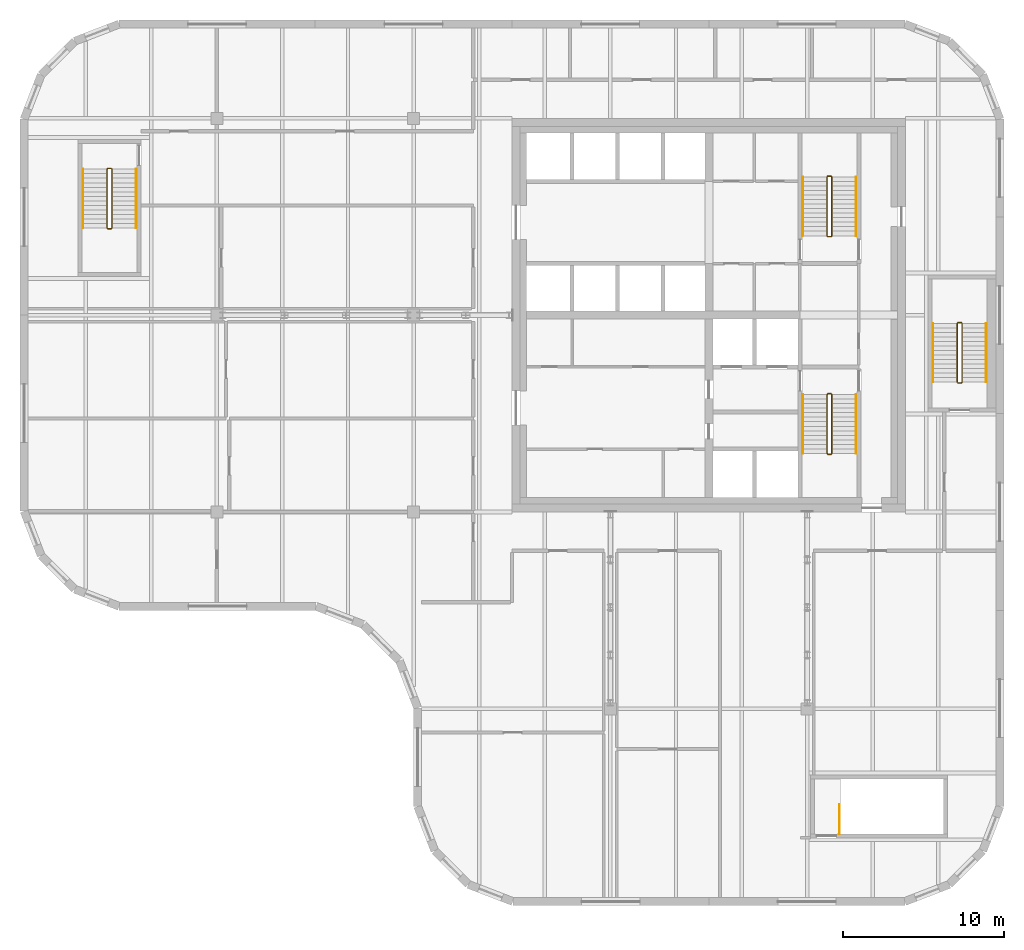
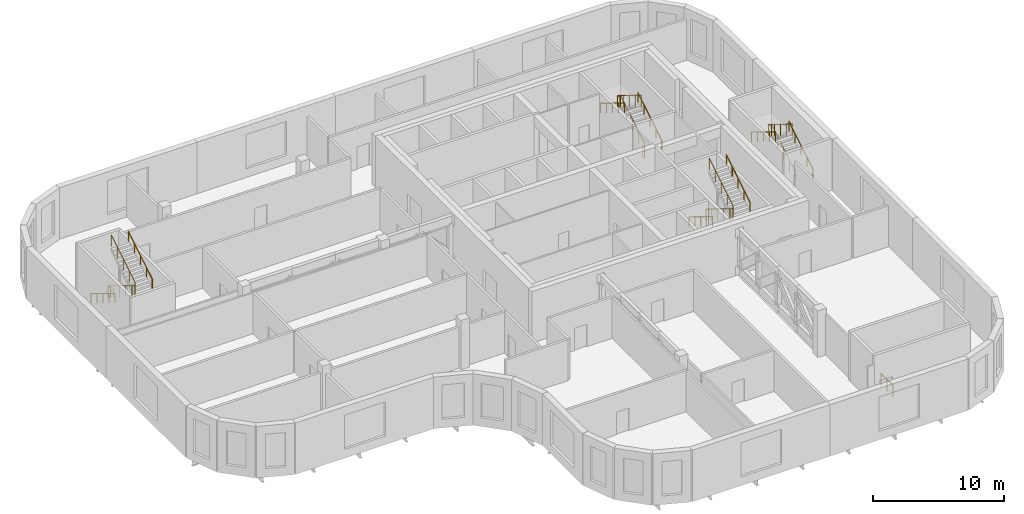
# One storey, part 12 of 12: 13 railings.
"""IFC4 building model written with IfcOpenShell, lengths in metres."""

from ifc_helpers import new_model, si_unit, direction, frame, origin, origin_2d, place, context, subcontext, project, spatial, circle, extrude, material, type_object, element, save


model = new_model("IFC4")

# Units and contexts
model_context = context("Model", 3, precision=1e-05, world=origin(), true_north=direction((0.0, 1.0)))
body_context = subcontext(model_context, "Body", "Model", "MODEL_VIEW")
ifc_project = project(units=[si_unit("LENGTHUNIT", "METRE"), si_unit("AREAUNIT", "SQUARE_METRE"), si_unit("VOLUMEUNIT", "CUBIC_METRE"), si_unit("PLANEANGLEUNIT", "RADIAN"), si_unit("MASSUNIT", "GRAM", prefix="KILO")], contexts=[model_context])

# Site, building, storey
site_placement = place(None, origin())
site = spatial("IfcSite", under=ifc_project, at=site_placement, CompositionType="ELEMENT")
building_placement = place(site_placement, origin())
building = spatial("IfcBuilding", under=site, at=building_placement, Name="Tessera Gate Towers", CompositionType="ELEMENT")
storey_placement = place(building_placement, frame((0.0, 0.0, 232.10009765625)))
storey = spatial("IfcBuildingStorey", under=building, at=storey_placement, Name="L58", CompositionType="ELEMENT", Elevation=232.10009765625)

# Railings
ifc_material_1 = material(Name="Steel 350W", Category="steel")
railing_type_1 = type_object("IfcRailingType", Name="STAIR GUARD 1100", PredefinedType="GUARDRAIL", material=ifc_material_1)
railing_1_placement = place(storey_placement, frame((50.27490234375, 31.72509765625, 0.0)))
element("IfcRailing", 1, at=railing_1_placement, inside=storey, type_object=railing_type_1, Name="L58 ST1 stair guard 1", PredefinedType="GUARDRAIL", context=body_context, shape_type="SweptSolid", body=[
    extrude(circle(Radius=0.02392578125, at=origin_2d()), frame((0.0, 0.0, 1.076171875), z_axis=(-1.0, 0.0, 0.0), x_axis=(0.0, -1.0, 0.0)), (0.0, 0.0, 1.0), 0.199951171875),
    extrude(circle(Radius=0.02392578125, at=origin_2d()), frame((-0.199951171875, 0.0, 1.076171875), z_axis=(-0.269911200495, -0.269911200495, 0.924281281696), x_axis=(0.707106781187, -0.707106781187, 0.0)), (0.0, 0.0, 1.0), 0.185546875),
    extrude(circle(Radius=0.02392578125, at=origin_2d()), frame((-0.25, -0.050048828125, 1.24755859375), z_axis=(0.0, -0.852865859571, 0.52213008492), x_axis=(1.0, 0.0, 0.0)), (0.0, 0.0, 1.0), 4.26806640625),
    extrude(circle(Radius=0.02392578125, at=origin_2d()), frame((-0.25, -3.690185546875, 3.47607421875), z_axis=(0.708833529934, -0.705375805398, 0.0), x_axis=(0.705375805398, 0.708833529934, 0.0)), (0.0, 0.0, 1.0), 0.070556640625),
    extrude(circle(Radius=0.02392578125, at=origin_2d()), frame((-0.199951171875, -3.739990234375, 3.47607421875), z_axis=(1.0, 0.0, 0.0), x_axis=(0.0, 1.0, 0.0)), (0.0, 0.0, 1.0), 0.199951171875),
    extrude(circle(Radius=0.02392578125, at=origin_2d()), frame((0.0, -3.739990234375, 3.47607421875), z_axis=(0.270006937388, 0.268689830376, 0.924609122178), x_axis=(-0.705375805398, 0.708833529934, 0.0)), (0.0, 0.0, 1.0), 0.185302734375),
    extrude(circle(Radius=0.02392578125, at=origin_2d()), frame((0.050048828125, -3.690185546875, 3.6474609375), z_axis=(0.0, 0.852865859571, 0.52213008492), x_axis=(-1.0, 0.0, 0.0)), (0.0, 0.0, 1.0), 4.26806640625),
    extrude(circle(Radius=0.02099609375, at=origin_2d()), origin(), (0.0, 0.0, 1.0), 1.052001953125),
    extrude(circle(Radius=0.02099609375, at=origin_2d()), frame((-0.199951171875, 0.0, 0.0)), (0.0, 0.0, 1.0), 1.052001953125),
    extrude(circle(Radius=0.02099609375, at=origin_2d()), frame((-0.25, -0.050048828125, 0.17138671875)), (0.0, 0.0, 1.0), 1.052001953125),
    extrude(circle(Radius=0.02099609375, at=origin_2d()), frame((-0.25, -0.9599609375, 0.728515625)), (0.0, 0.0, 1.0), 1.052001953125),
    extrude(circle(Radius=0.02099609375, at=origin_2d()), frame((-0.25, -1.8701171875, 1.28564453125)), (0.0, 0.0, 1.0), 1.052001953125),
    extrude(circle(Radius=0.02099609375, at=origin_2d()), frame((-0.25, -2.7802734375, 1.8427734375)), (0.0, 0.0, 1.0), 1.052001953125),
    extrude(circle(Radius=0.02099609375, at=origin_2d()), frame((-0.25, -3.690185546875, 2.39990234375)), (0.0, 0.0, 1.0), 1.052001953125),
    extrude(circle(Radius=0.02099609375, at=origin_2d()), frame((-0.199951171875, -3.739990234375, 2.39990234375)), (0.0, 0.0, 1.0), 1.052001953125),
    extrude(circle(Radius=0.02099609375, at=origin_2d()), frame((0.0, -3.739990234375, 2.39990234375)), (0.0, 0.0, 1.0), 1.052001953125),
    extrude(circle(Radius=0.02099609375, at=origin_2d()), frame((0.050048828125, -3.690185546875, 2.5712890625)), (0.0, 0.0, 1.0), 1.052001953125),
    extrude(circle(Radius=0.02099609375, at=origin_2d()), frame((0.050048828125, -2.7802734375, 3.12841796875)), (0.0, 0.0, 1.0), 1.052001953125),
    extrude(circle(Radius=0.02099609375, at=origin_2d()), frame((0.050048828125, -1.8701171875, 3.685546875)), (0.0, 0.0, 1.0), 1.052001953125),
    extrude(circle(Radius=0.02099609375, at=origin_2d()), frame((0.050048828125, -0.9599609375, 4.24267578125)), (0.0, 0.0, 1.0), 1.052001953125),
    extrude(circle(Radius=0.02099609375, at=origin_2d()), frame((0.050048828125, -0.050048828125, 4.7998046875)), (0.0, 0.0, 1.0), 1.052001953125),
])
railing_2_placement = place(storey_placement, frame((50.074951171875, 41.47509765625, 0.0)))
element("IfcRailing", 2, at=railing_2_placement, inside=storey, type_object=railing_type_1, Name="L58 ST2 stair guard 1", PredefinedType="GUARDRAIL", context=body_context, shape_type="SweptSolid", body=[
    extrude(circle(Radius=0.02392578125, at=origin_2d()), frame((0.0, 0.0, 1.076171875), z_axis=(1.0, 0.0, 0.0), x_axis=(0.0, 1.0, 0.0)), (0.0, 0.0, 1.0), 0.199951171875),
    extrude(circle(Radius=0.02392578125, at=origin_2d()), frame((0.199951171875, 0.0, 1.076171875), z_axis=(0.270006937388, 0.268689830376, 0.924609122178), x_axis=(-0.705375805398, 0.708833529934, 0.0)), (0.0, 0.0, 1.0), 0.185302734375),
    extrude(circle(Radius=0.02392578125, at=origin_2d()), frame((0.25, 0.0498046875, 1.24755859375), z_axis=(0.0, 0.852865859571, 0.52213008492), x_axis=(-1.0, 0.0, 0.0)), (0.0, 0.0, 1.0), 4.26806640625),
    extrude(circle(Radius=0.02392578125, at=origin_2d()), frame((0.25, 3.68994140625, 3.47607421875), z_axis=(-0.707106781187, 0.707106781187, 0.0), x_axis=(-0.707106781187, -0.707106781187, 0.0)), (0.0, 0.0, 1.0), 0.07080078125),
    extrude(circle(Radius=0.02392578125, at=origin_2d()), frame((0.199951171875, 3.739990234375, 3.47607421875), z_axis=(-1.0, 0.0, 0.0), x_axis=(0.0, -1.0, 0.0)), (0.0, 0.0, 1.0), 0.199951171875),
    extrude(circle(Radius=0.02392578125, at=origin_2d()), frame((0.0, 3.739990234375, 3.47607421875), z_axis=(-0.269911200495, -0.269911200495, 0.924281281696), x_axis=(0.707106781187, -0.707106781187, 0.0)), (0.0, 0.0, 1.0), 0.185546875),
    extrude(circle(Radius=0.02392578125, at=origin_2d()), frame((-0.050048828125, 3.68994140625, 3.6474609375), z_axis=(0.0, -0.852865859571, 0.52213008492), x_axis=(1.0, 0.0, 0.0)), (0.0, 0.0, 1.0), 4.26806640625),
    extrude(circle(Radius=0.02099609375, at=origin_2d()), origin(), (0.0, 0.0, 1.0), 1.052001953125),
    extrude(circle(Radius=0.02099609375, at=origin_2d()), frame((0.199951171875, 0.0, 0.0)), (0.0, 0.0, 1.0), 1.052001953125),
    extrude(circle(Radius=0.02099609375, at=origin_2d()), frame((0.25, 0.0498046875, 0.17138671875)), (0.0, 0.0, 1.0), 1.052001953125),
    extrude(circle(Radius=0.02099609375, at=origin_2d()), frame((0.25, 0.9599609375, 0.728515625)), (0.0, 0.0, 1.0), 1.052001953125),
    extrude(circle(Radius=0.02099609375, at=origin_2d()), frame((0.25, 1.869873046875, 1.28564453125)), (0.0, 0.0, 1.0), 1.052001953125),
    extrude(circle(Radius=0.02099609375, at=origin_2d()), frame((0.25, 2.77978515625, 1.8427734375)), (0.0, 0.0, 1.0), 1.052001953125),
    extrude(circle(Radius=0.02099609375, at=origin_2d()), frame((0.25, 3.68994140625, 2.39990234375)), (0.0, 0.0, 1.0), 1.052001953125),
    extrude(circle(Radius=0.02099609375, at=origin_2d()), frame((0.199951171875, 3.739990234375, 2.39990234375)), (0.0, 0.0, 1.0), 1.052001953125),
    extrude(circle(Radius=0.02099609375, at=origin_2d()), frame((0.0, 3.739990234375, 2.39990234375)), (0.0, 0.0, 1.0), 1.052001953125),
    extrude(circle(Radius=0.02099609375, at=origin_2d()), frame((-0.050048828125, 3.68994140625, 2.5712890625)), (0.0, 0.0, 1.0), 1.052001953125),
    extrude(circle(Radius=0.02099609375, at=origin_2d()), frame((-0.050048828125, 2.77978515625, 3.12841796875)), (0.0, 0.0, 1.0), 1.052001953125),
    extrude(circle(Radius=0.02099609375, at=origin_2d()), frame((-0.050048828125, 1.869873046875, 3.685546875)), (0.0, 0.0, 1.0), 1.052001953125),
    extrude(circle(Radius=0.02099609375, at=origin_2d()), frame((-0.050048828125, 0.9599609375, 4.24267578125)), (0.0, 0.0, 1.0), 1.052001953125),
    extrude(circle(Radius=0.02099609375, at=origin_2d()), frame((-0.050048828125, 0.0498046875, 4.7998046875)), (0.0, 0.0, 1.0), 1.052001953125),
])
railing_3_placement = place(storey_placement, frame((5.64990234375, 45.699951171875, 0.0)))
element("IfcRailing", 3, at=railing_3_placement, inside=storey, type_object=railing_type_1, Name="L58 ST3 stair guard 1", PredefinedType="GUARDRAIL", context=body_context, shape_type="SweptSolid", body=[
    extrude(circle(Radius=0.02392578125, at=origin_2d()), frame((0.0, 0.0, 1.076171875), z_axis=(-1.0, 0.0, 0.0), x_axis=(0.0, -1.0, 0.0)), (0.0, 0.0, 1.0), 0.199951171875),
    extrude(circle(Radius=0.02392578125, at=origin_2d()), frame((-0.199951171875, 0.0, 1.076171875), z_axis=(-0.269911200495, -0.269911200495, 0.924281281696), x_axis=(0.707106781187, -0.707106781187, 0.0)), (0.0, 0.0, 1.0), 0.185546875),
    extrude(circle(Radius=0.02392578125, at=origin_2d()), frame((-0.25, -0.050048828125, 1.24755859375), z_axis=(0.0, -0.852850264322, 0.5221555579), x_axis=(1.0, 0.0, 0.0)), (0.0, 0.0, 1.0), 4.267822265625),
    extrude(circle(Radius=0.02392578125, at=origin_2d()), frame((-0.25, -3.68994140625, 3.47607421875), z_axis=(0.707106781187, -0.707106781187, 0.0), x_axis=(0.707106781187, 0.707106781187, 0.0)), (0.0, 0.0, 1.0), 0.07080078125),
    extrude(circle(Radius=0.02392578125, at=origin_2d()), frame((-0.199951171875, -3.739990234375, 3.47607421875), z_axis=(1.0, 0.0, 0.0), x_axis=(0.0, 1.0, 0.0)), (0.0, 0.0, 1.0), 0.199951171875),
    extrude(circle(Radius=0.02392578125, at=origin_2d()), frame((0.0, -3.739990234375, 3.47607421875), z_axis=(0.269911200495, 0.269911200495, 0.924281281696), x_axis=(-0.707106781187, 0.707106781187, 0.0)), (0.0, 0.0, 1.0), 0.185546875),
    extrude(circle(Radius=0.02392578125, at=origin_2d()), frame((0.050048828125, -3.68994140625, 3.6474609375), z_axis=(0.0, 0.852850264322, 0.5221555579), x_axis=(-1.0, 0.0, 0.0)), (0.0, 0.0, 1.0), 4.267822265625),
    extrude(circle(Radius=0.02099609375, at=origin_2d()), origin(), (0.0, 0.0, 1.0), 1.052001953125),
    extrude(circle(Radius=0.02099609375, at=origin_2d()), frame((-0.199951171875, 0.0, 0.0)), (0.0, 0.0, 1.0), 1.052001953125),
    extrude(circle(Radius=0.02099609375, at=origin_2d()), frame((-0.25, -0.050048828125, 0.17138671875)), (0.0, 0.0, 1.0), 1.052001953125),
    extrude(circle(Radius=0.02099609375, at=origin_2d()), frame((-0.25, -0.9599609375, 0.728515625)), (0.0, 0.0, 1.0), 1.052001953125),
    extrude(circle(Radius=0.02099609375, at=origin_2d()), frame((-0.25, -1.8701171875, 1.28564453125)), (0.0, 0.0, 1.0), 1.052001953125),
    extrude(circle(Radius=0.02099609375, at=origin_2d()), frame((-0.25, -2.780029296875, 1.8427734375)), (0.0, 0.0, 1.0), 1.052001953125),
    extrude(circle(Radius=0.02099609375, at=origin_2d()), frame((-0.25, -3.68994140625, 2.39990234375)), (0.0, 0.0, 1.0), 1.052001953125),
    extrude(circle(Radius=0.02099609375, at=origin_2d()), frame((-0.199951171875, -3.739990234375, 2.39990234375)), (0.0, 0.0, 1.0), 1.052001953125),
    extrude(circle(Radius=0.02099609375, at=origin_2d()), frame((0.0, -3.739990234375, 2.39990234375)), (0.0, 0.0, 1.0), 1.052001953125),
    extrude(circle(Radius=0.02099609375, at=origin_2d()), frame((0.050048828125, -3.68994140625, 2.5712890625)), (0.0, 0.0, 1.0), 1.052001953125),
    extrude(circle(Radius=0.02099609375, at=origin_2d()), frame((0.050048828125, -2.780029296875, 3.12841796875)), (0.0, 0.0, 1.0), 1.052001953125),
    extrude(circle(Radius=0.02099609375, at=origin_2d()), frame((0.050048828125, -1.8701171875, 3.685546875)), (0.0, 0.0, 1.0), 1.052001953125),
    extrude(circle(Radius=0.02099609375, at=origin_2d()), frame((0.050048828125, -0.9599609375, 4.24267578125)), (0.0, 0.0, 1.0), 1.052001953125),
    extrude(circle(Radius=0.02099609375, at=origin_2d()), frame((0.050048828125, -0.050048828125, 4.7998046875)), (0.0, 0.0, 1.0), 1.052001953125),
])
railing_4_placement = place(storey_placement, frame((50.800048828125, 4.449951171875, 0.0)))
element("IfcRailing", 4, at=railing_4_placement, inside=storey, type_object=railing_type_1, Name="L58 ST4 top well guard 1", PredefinedType="GUARDRAIL", context=body_context, shape_type="SweptSolid", body=[
    extrude(circle(Radius=0.02392578125, at=origin_2d()), frame((0.0, 0.0, 1.076171875), z_axis=(0.0, 1.0, 0.0), x_axis=(-1.0, 0.0, 0.0)), (0.0, 0.0, 1.0), 1.800048828125),
    extrude(circle(Radius=0.02099609375, at=origin_2d()), origin(), (0.0, 0.0, 1.0), 1.052001953125),
    extrude(circle(Radius=0.02099609375, at=origin_2d()), frame((0.0, 0.89990234375, 0.0)), (0.0, 0.0, 1.0), 1.052001953125),
    extrude(circle(Radius=0.02099609375, at=origin_2d()), frame((0.0, 1.800048828125, 0.0)), (0.0, 0.0, 1.0), 1.052001953125),
])
railing_5_placement = place(storey_placement, frame((58.14990234375, 32.39990234375, 0.0)))
element("IfcRailing", 5, at=railing_5_placement, inside=storey, type_object=railing_type_1, Name="L58 ST5 stair guard 1", PredefinedType="GUARDRAIL", context=body_context, shape_type="SweptSolid", body=[
    extrude(circle(Radius=0.02392578125, at=origin_2d()), frame((0.0, 0.0, 1.076171875), z_axis=(1.0, 0.0, 0.0), x_axis=(0.0, 1.0, 0.0)), (0.0, 0.0, 1.0), 0.2001953125),
    extrude(circle(Radius=0.02392578125, at=origin_2d()), frame((0.2001953125, 0.0, 1.076171875), z_axis=(0.268689830376, 0.270006937388, 0.924609122178), x_axis=(-0.708833529934, 0.705375805398, 0.0)), (0.0, 0.0, 1.0), 0.185302734375),
    extrude(circle(Radius=0.02392578125, at=origin_2d()), frame((0.25, 0.050048828125, 1.24755859375), z_axis=(0.0, 0.852865859571, 0.52213008492), x_axis=(-1.0, 0.0, 0.0)), (0.0, 0.0, 1.0), 4.26806640625),
    extrude(circle(Radius=0.02392578125, at=origin_2d()), frame((0.25, 3.690185546875, 3.47607421875), z_axis=(-0.707106781187, 0.707106781187, 0.0), x_axis=(-0.707106781187, -0.707106781187, 0.0)), (0.0, 0.0, 1.0), 0.0703125),
    extrude(circle(Radius=0.02392578125, at=origin_2d()), frame((0.2001953125, 3.739990234375, 3.47607421875), z_axis=(-1.0, 0.0, 0.0), x_axis=(0.0, -1.0, 0.0)), (0.0, 0.0, 1.0), 0.2001953125),
    extrude(circle(Radius=0.02392578125, at=origin_2d()), frame((0.0, 3.739990234375, 3.47607421875), z_axis=(-0.268785201708, -0.268785201708, 0.92493731176), x_axis=(0.707106781187, -0.707106781187, 0.0)), (0.0, 0.0, 1.0), 0.185302734375),
    extrude(circle(Radius=0.02392578125, at=origin_2d()), frame((-0.0498046875, 3.690185546875, 3.6474609375), z_axis=(0.0, -0.852865859571, 0.52213008492), x_axis=(1.0, 0.0, 0.0)), (0.0, 0.0, 1.0), 4.26806640625),
    extrude(circle(Radius=0.02099609375, at=origin_2d()), origin(), (0.0, 0.0, 1.0), 1.052001953125),
    extrude(circle(Radius=0.02099609375, at=origin_2d()), frame((0.2001953125, 0.0, 0.0)), (0.0, 0.0, 1.0), 1.052001953125),
    extrude(circle(Radius=0.02099609375, at=origin_2d()), frame((0.25, 0.050048828125, 0.17138671875)), (0.0, 0.0, 1.0), 1.052001953125),
    extrude(circle(Radius=0.02099609375, at=origin_2d()), frame((0.25, 0.9599609375, 0.728515625)), (0.0, 0.0, 1.0), 1.052001953125),
    extrude(circle(Radius=0.02099609375, at=origin_2d()), frame((0.25, 1.8701171875, 1.28564453125)), (0.0, 0.0, 1.0), 1.052001953125),
    extrude(circle(Radius=0.02099609375, at=origin_2d()), frame((0.25, 2.7802734375, 1.8427734375)), (0.0, 0.0, 1.0), 1.052001953125),
    extrude(circle(Radius=0.02099609375, at=origin_2d()), frame((0.25, 3.690185546875, 2.39990234375)), (0.0, 0.0, 1.0), 1.052001953125),
    extrude(circle(Radius=0.02099609375, at=origin_2d()), frame((0.2001953125, 3.739990234375, 2.39990234375)), (0.0, 0.0, 1.0), 1.052001953125),
    extrude(circle(Radius=0.02099609375, at=origin_2d()), frame((0.0, 3.739990234375, 2.39990234375)), (0.0, 0.0, 1.0), 1.052001953125),
    extrude(circle(Radius=0.02099609375, at=origin_2d()), frame((-0.0498046875, 3.690185546875, 2.5712890625)), (0.0, 0.0, 1.0), 1.052001953125),
    extrude(circle(Radius=0.02099609375, at=origin_2d()), frame((-0.0498046875, 2.7802734375, 3.12841796875)), (0.0, 0.0, 1.0), 1.052001953125),
    extrude(circle(Radius=0.02099609375, at=origin_2d()), frame((-0.0498046875, 1.8701171875, 3.685546875)), (0.0, 0.0, 1.0), 1.052001953125),
    extrude(circle(Radius=0.02099609375, at=origin_2d()), frame((-0.0498046875, 0.9599609375, 4.24267578125)), (0.0, 0.0, 1.0), 1.052001953125),
    extrude(circle(Radius=0.02099609375, at=origin_2d()), frame((-0.0498046875, 0.050048828125, 4.7998046875)), (0.0, 0.0, 1.0), 1.052001953125),
])
ifc_material_2 = material(Name="Steel 350W", Category="steel")
railing_type_2 = type_object("IfcRailingType", Name="STAIR HANDRAIL 900", PredefinedType="HANDRAIL", material=ifc_material_2)
railing_6_placement = place(storey_placement, frame((48.52490234375, 31.675048828125, 0.17138671875)))
element("IfcRailing", 6, at=railing_6_placement, inside=storey, type_object=railing_type_2, Name="L58 ST1 stair handrail 1", PredefinedType="HANDRAIL", context=body_context, shape_type="SweptSolid", body=[
    extrude(circle(Radius=0.02392578125, at=origin_2d()), frame((0.0, 0.0, 0.8759765625), z_axis=(0.0, -0.852865859571, 0.52213008492), x_axis=(1.0, 0.0, 0.0)), (0.0, 0.0, 1.0), 4.26806640625),
    extrude(circle(Radius=0.02099609375, at=origin_2d()), origin(), (0.0, 0.0, 1.0), 0.851806640625),
    extrude(circle(Radius=0.02099609375, at=origin_2d()), frame((0.0, -0.91015625, 0.55712890625)), (0.0, 0.0, 1.0), 0.851806640625),
    extrude(circle(Radius=0.02099609375, at=origin_2d()), frame((0.0, -1.820068359375, 1.1142578125)), (0.0, 0.0, 1.0), 0.851806640625),
    extrude(circle(Radius=0.02099609375, at=origin_2d()), frame((0.0, -2.72998046875, 1.67138671875)), (0.0, 0.0, 1.0), 0.851806640625),
    extrude(circle(Radius=0.02099609375, at=origin_2d()), frame((0.0, -3.64013671875, 2.228515625)), (0.0, 0.0, 1.0), 0.851806640625),
])
for number, where, name in (
    (7, (51.824951171875, 28.034912109375, 2.5712890625), "L58 ST1 stair handrail 2"),
    (8, (51.824951171875, 41.52490234375, 0.17138671875), "L58 ST2 stair handrail 1"),
):
    element("IfcRailing", number, at=place(storey_placement, frame(where)), inside=storey, type_object=railing_type_2, Name=name, PredefinedType="HANDRAIL", context=body_context, shape_type="SweptSolid", body=[
        extrude(circle(Radius=0.02392578125, at=origin_2d()), frame((0.0, 0.0, 0.8759765625), z_axis=(0.0, 0.852865859571, 0.52213008492), x_axis=(-1.0, 0.0, 0.0)), (0.0, 0.0, 1.0), 4.26806640625),
        extrude(circle(Radius=0.02099609375, at=origin_2d()), origin(), (0.0, 0.0, 1.0), 0.851806640625),
        extrude(circle(Radius=0.02099609375, at=origin_2d()), frame((0.0, 0.91015625, 0.55712890625)), (0.0, 0.0, 1.0), 0.851806640625),
        extrude(circle(Radius=0.02099609375, at=origin_2d()), frame((0.0, 1.820068359375, 1.1142578125)), (0.0, 0.0, 1.0), 0.851806640625),
        extrude(circle(Radius=0.02099609375, at=origin_2d()), frame((0.0, 2.72998046875, 1.67138671875)), (0.0, 0.0, 1.0), 0.851806640625),
        extrude(circle(Radius=0.02099609375, at=origin_2d()), frame((0.0, 3.64013671875, 2.228515625)), (0.0, 0.0, 1.0), 0.851806640625),
    ])
railing_7_placement = place(storey_placement, frame((48.52490234375, 45.1650390625, 2.5712890625)))
element("IfcRailing", 9, at=railing_7_placement, inside=storey, type_object=railing_type_2, Name="L58 ST2 stair handrail 2", PredefinedType="HANDRAIL", context=body_context, shape_type="SweptSolid", body=[
    extrude(circle(Radius=0.02392578125, at=origin_2d()), frame((0.0, 0.0, 0.8759765625), z_axis=(0.0, -0.852865859571, 0.52213008492), x_axis=(1.0, 0.0, 0.0)), (0.0, 0.0, 1.0), 4.26806640625),
    extrude(circle(Radius=0.02099609375, at=origin_2d()), origin(), (0.0, 0.0, 1.0), 0.851806640625),
    extrude(circle(Radius=0.02099609375, at=origin_2d()), frame((0.0, -0.91015625, 0.55712890625)), (0.0, 0.0, 1.0), 0.851806640625),
    extrude(circle(Radius=0.02099609375, at=origin_2d()), frame((0.0, -1.820068359375, 1.1142578125)), (0.0, 0.0, 1.0), 0.851806640625),
    extrude(circle(Radius=0.02099609375, at=origin_2d()), frame((0.0, -2.72998046875, 1.67138671875)), (0.0, 0.0, 1.0), 0.851806640625),
    extrude(circle(Radius=0.02099609375, at=origin_2d()), frame((0.0, -3.64013671875, 2.228515625)), (0.0, 0.0, 1.0), 0.851806640625),
])
railing_8_placement = place(storey_placement, frame((3.89990234375, 45.64990234375, 0.17138671875)))
element("IfcRailing", 10, at=railing_8_placement, inside=storey, type_object=railing_type_2, Name="L58 ST3 stair handrail 1", PredefinedType="HANDRAIL", context=body_context, shape_type="SweptSolid", body=[
    extrude(circle(Radius=0.02392578125, at=origin_2d()), frame((0.0, 0.0, 0.8759765625), z_axis=(0.0, -0.852850264322, 0.5221555579), x_axis=(1.0, 0.0, 0.0)), (0.0, 0.0, 1.0), 4.267822265625),
    extrude(circle(Radius=0.02099609375, at=origin_2d()), origin(), (0.0, 0.0, 1.0), 0.851806640625),
    extrude(circle(Radius=0.02099609375, at=origin_2d()), frame((0.0, -0.909912109375, 0.55712890625)), (0.0, 0.0, 1.0), 0.851806640625),
    extrude(circle(Radius=0.02099609375, at=origin_2d()), frame((0.0, -1.81982421875, 1.1142578125)), (0.0, 0.0, 1.0), 0.851806640625),
    extrude(circle(Radius=0.02099609375, at=origin_2d()), frame((0.0, -2.72998046875, 1.67138671875)), (0.0, 0.0, 1.0), 0.851806640625),
    extrude(circle(Radius=0.02099609375, at=origin_2d()), frame((0.0, -3.639892578125, 2.228515625)), (0.0, 0.0, 1.0), 0.851806640625),
])
railing_9_placement = place(storey_placement, frame((7.199951171875, 42.010009765625, 2.5712890625)))
element("IfcRailing", 11, at=railing_9_placement, inside=storey, type_object=railing_type_2, Name="L58 ST3 stair handrail 2", PredefinedType="HANDRAIL", context=body_context, shape_type="SweptSolid", body=[
    extrude(circle(Radius=0.02392578125, at=origin_2d()), frame((0.0, 0.0, 0.8759765625), z_axis=(0.0, 0.852850264322, 0.5221555579), x_axis=(-1.0, 0.0, 0.0)), (0.0, 0.0, 1.0), 4.267822265625),
    extrude(circle(Radius=0.02099609375, at=origin_2d()), origin(), (0.0, 0.0, 1.0), 0.851806640625),
    extrude(circle(Radius=0.02099609375, at=origin_2d()), frame((0.0, 0.909912109375, 0.55712890625)), (0.0, 0.0, 1.0), 0.851806640625),
    extrude(circle(Radius=0.02099609375, at=origin_2d()), frame((0.0, 1.81982421875, 1.1142578125)), (0.0, 0.0, 1.0), 0.851806640625),
    extrude(circle(Radius=0.02099609375, at=origin_2d()), frame((0.0, 2.72998046875, 1.67138671875)), (0.0, 0.0, 1.0), 0.851806640625),
    extrude(circle(Radius=0.02099609375, at=origin_2d()), frame((0.0, 3.639892578125, 2.228515625)), (0.0, 0.0, 1.0), 0.851806640625),
])
railing_10_placement = place(storey_placement, frame((59.89990234375, 32.449951171875, 0.17138671875)))
element("IfcRailing", 12, at=railing_10_placement, inside=storey, type_object=railing_type_2, Name="L58 ST5 stair handrail 1", PredefinedType="HANDRAIL", context=body_context, shape_type="SweptSolid", body=[
    extrude(circle(Radius=0.02392578125, at=origin_2d()), frame((0.0, 0.0, 0.8759765625), z_axis=(0.0, 0.852865859571, 0.52213008492), x_axis=(-1.0, 0.0, 0.0)), (0.0, 0.0, 1.0), 4.26806640625),
    extrude(circle(Radius=0.02099609375, at=origin_2d()), origin(), (0.0, 0.0, 1.0), 0.851806640625),
    extrude(circle(Radius=0.02099609375, at=origin_2d()), frame((0.0, 0.91015625, 0.55712890625)), (0.0, 0.0, 1.0), 0.851806640625),
    extrude(circle(Radius=0.02099609375, at=origin_2d()), frame((0.0, 1.820068359375, 1.1142578125)), (0.0, 0.0, 1.0), 0.851806640625),
    extrude(circle(Radius=0.02099609375, at=origin_2d()), frame((0.0, 2.72998046875, 1.67138671875)), (0.0, 0.0, 1.0), 0.851806640625),
    extrude(circle(Radius=0.02099609375, at=origin_2d()), frame((0.0, 3.64013671875, 2.228515625)), (0.0, 0.0, 1.0), 0.851806640625),
])
railing_11_placement = place(storey_placement, frame((56.60009765625, 36.090087890625, 2.5712890625)))
element("IfcRailing", 13, at=railing_11_placement, inside=storey, type_object=railing_type_2, Name="L58 ST5 stair handrail 2", PredefinedType="HANDRAIL", context=body_context, shape_type="SweptSolid", body=[
    extrude(circle(Radius=0.02392578125, at=origin_2d()), frame((0.0, 0.0, 0.8759765625), z_axis=(0.0, -0.852865859571, 0.52213008492), x_axis=(1.0, 0.0, 0.0)), (0.0, 0.0, 1.0), 4.26806640625),
    extrude(circle(Radius=0.02099609375, at=origin_2d()), origin(), (0.0, 0.0, 1.0), 0.851806640625),
    extrude(circle(Radius=0.02099609375, at=origin_2d()), frame((0.0, -0.91015625, 0.55712890625)), (0.0, 0.0, 1.0), 0.851806640625),
    extrude(circle(Radius=0.02099609375, at=origin_2d()), frame((0.0, -1.820068359375, 1.1142578125)), (0.0, 0.0, 1.0), 0.851806640625),
    extrude(circle(Radius=0.02099609375, at=origin_2d()), frame((0.0, -2.72998046875, 1.67138671875)), (0.0, 0.0, 1.0), 0.851806640625),
    extrude(circle(Radius=0.02099609375, at=origin_2d()), frame((0.0, -3.64013671875, 2.228515625)), (0.0, 0.0, 1.0), 0.851806640625),
])

save(model, "model.ifc")
